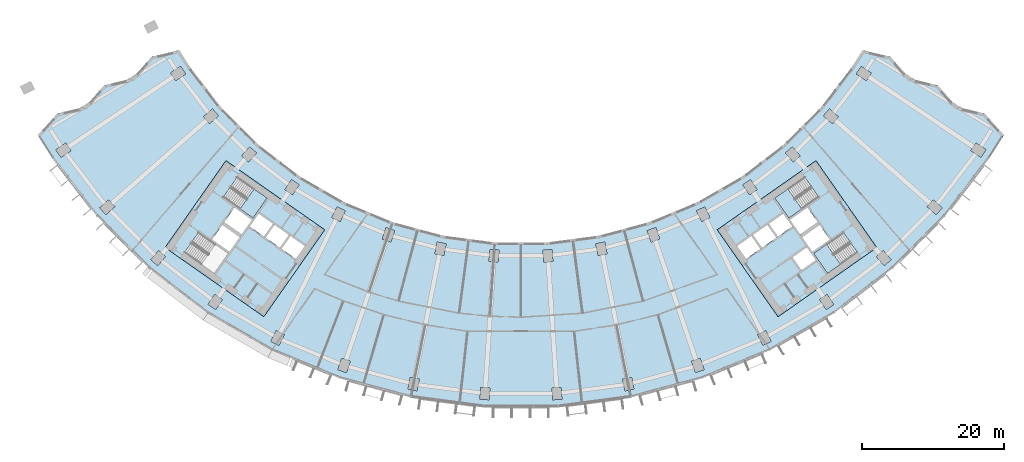
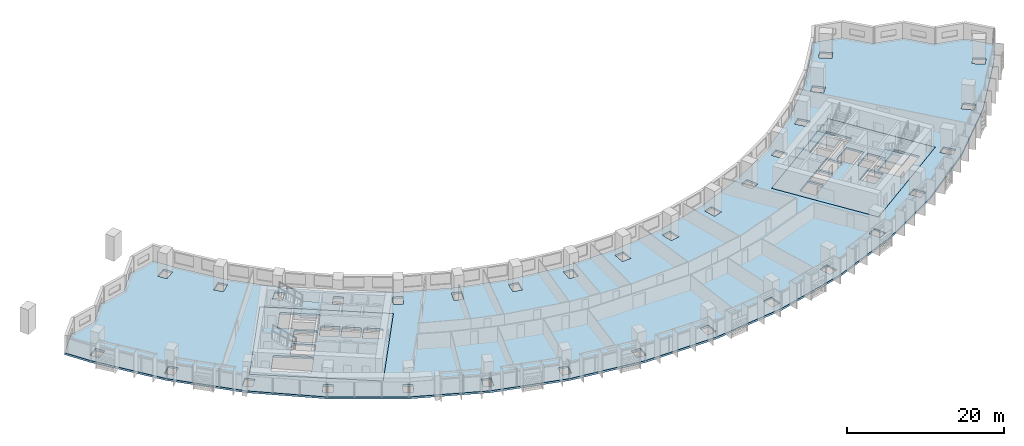
# One storey, part 2 of 31: 6 slabs, 3 elements without a shape of their own.
"""IFC4 building model written with IfcOpenShell, lengths in metres."""

from ifc_helpers import new_model, si_unit, direction, frame, origin, place, context, subcontext, project, spatial, polyline, outline, extrude, material, layer, layer_set, type_object, element, aggregate, save


model = new_model("IFC4")

# Units and contexts
model_context = context("Model", 3, precision=1e-05, world=origin(), true_north=direction((0.0, 1.0)))
body_context = subcontext(model_context, "Body", "Model", "MODEL_VIEW")
ifc_project = project(units=[si_unit("LENGTHUNIT", "METRE"), si_unit("AREAUNIT", "SQUARE_METRE"), si_unit("VOLUMEUNIT", "CUBIC_METRE"), si_unit("PLANEANGLEUNIT", "RADIAN"), si_unit("MASSUNIT", "GRAM", prefix="KILO")], contexts=[model_context])

# Site, building, storey
site_placement = place(None, origin())
site = spatial("IfcSite", under=ifc_project, at=site_placement, CompositionType="ELEMENT")
building_placement = place(site_placement, origin())
building = spatial("IfcBuilding", under=site, at=building_placement, Name="Qamariyya Broadcast Tower", CompositionType="ELEMENT")
storey_placement = place(building_placement, frame((0.0, 0.0, 86.10009765625)))
storey = spatial("IfcBuildingStorey", under=building, at=storey_placement, Name="L18", CompositionType="ELEMENT", Elevation=86.10009765625)

# Slabs
ifc_material_1 = material(Name="Concrete C40/50", Category="concrete")
ifc_layer_1 = layer(ifc_material_1, 0.300048828125)
ifc_layer_set_1 = layer_set([ifc_layer_1], Name="Core floor slab 300 mm Concrete C40/50")
slab_type_1 = type_object("IfcSlabType", Name="Core floor slab 300 mm Concrete C40/50", PredefinedType="FLOOR", material=ifc_layer_set_1)
slab_1_placement = place(storey_placement, frame((0.0, 0.0, -0.300048828125)))
element("IfcSlab", 1, at=slab_1_placement, inside=storey, type_object=slab_type_1, Name="k-W-L18-slab", PredefinedType="FLOOR", context=body_context, shape_type="SweptSolid", body=[
    extrude(outline(polyline([(-50.286376953125, -56.95751953125), (-36.32373046875, -66.734375), (-27.719970703125, -54.447021484375), (-41.6826171875, -44.67041015625), (-50.286376953125, -56.95751953125)]), holes=[polyline([(-31.80859375, -58.542724609375), (-33.8154296875, -57.137451171875), (-32.5537109375, -55.335205078125), (-30.546630859375, -56.740478515625), (-31.80859375, -58.542724609375)]), polyline([(-34.061279296875, -56.96533203125), (-36.068115234375, -55.56005859375), (-34.806396484375, -53.758056640625), (-32.79931640625, -55.163330078125), (-34.061279296875, -56.96533203125)]), polyline([(-36.31396484375, -55.387939453125), (-38.32080078125, -53.982666015625), (-37.058837890625, -52.1806640625), (-35.052001953125, -53.5859375), (-36.31396484375, -55.387939453125)]), polyline([(-39.742431640625, -55.489990234375), (-42.199951171875, -53.769287109375), (-43.6337890625, -55.817138671875), (-41.17626953125, -57.537841796875), (-39.742431640625, -55.489990234375)]), polyline([(-39.45556640625, -55.080322265625), (-41.9130859375, -53.359619140625), (-40.47900390625, -51.311767578125), (-38.021728515625, -53.032470703125), (-39.45556640625, -55.080322265625)]), polyline([(-42.06103515625, -49.837890625), (-37.849609375, -52.78662109375), (-35.870849609375, -49.960693359375), (-40.082275390625, -47.01171875), (-42.06103515625, -49.837890625)]), polyline([(-47.538818359375, -57.66064453125), (-43.3271484375, -60.609619140625), (-41.348388671875, -57.783447265625), (-45.559814453125, -54.834716796875), (-47.538818359375, -57.66064453125)])]), origin(), (0.0, 0.0, 1.0), 0.300048828125),
])
slab_2_placement = place(storey_placement, frame((0.0, 0.0, -0.300048828125)))
element("IfcSlab", 2, at=slab_2_placement, inside=storey, type_object=slab_type_1, Name="k-E-L18-slab", PredefinedType="FLOOR", context=body_context, shape_type="SweptSolid", body=[
    extrude(outline(polyline([(36.32373046875, -66.734375), (50.286376953125, -56.95751953125), (41.6826171875, -44.67041015625), (27.719970703125, -54.447021484375), (36.32373046875, -66.734375)]), holes=[polyline([(31.80859375, -58.542724609375), (33.8154296875, -57.137451171875), (32.5537109375, -55.335205078125), (30.546630859375, -56.740478515625), (31.80859375, -58.542724609375)]), polyline([(34.061279296875, -56.96533203125), (36.068115234375, -55.56005859375), (34.806396484375, -53.758056640625), (32.79931640625, -55.163330078125), (34.061279296875, -56.96533203125)]), polyline([(36.31396484375, -55.387939453125), (38.32080078125, -53.982666015625), (37.058837890625, -52.1806640625), (35.052001953125, -53.5859375), (36.31396484375, -55.387939453125)]), polyline([(38.378662109375, -58.3369140625), (40.3857421875, -56.931640625), (41.6474609375, -58.73388671875), (39.640625, -60.13916015625), (38.378662109375, -58.3369140625)]), polyline([(39.742431640625, -55.489990234375), (42.199951171875, -53.769287109375), (43.6337890625, -55.817138671875), (41.17626953125, -57.537841796875), (39.742431640625, -55.489990234375)]), polyline([(39.45556640625, -55.080322265625), (41.9130859375, -53.359619140625), (40.47900390625, -51.311767578125), (38.021728515625, -53.032470703125), (39.45556640625, -55.080322265625)]), polyline([(40.082275390625, -47.01171875), (35.870849609375, -49.960693359375), (37.849609375, -52.78662109375), (42.06103515625, -49.837890625), (40.082275390625, -47.01171875)]), polyline([(45.559814453125, -54.834716796875), (41.348388671875, -57.783447265625), (43.3271484375, -60.609619140625), (47.538818359375, -57.66064453125), (45.559814453125, -54.834716796875)])]), origin(), (0.0, 0.0, 1.0), 0.300048828125),
])
ifc_layer_2 = layer(ifc_material_1, 0.300048828125)
ifc_layer_set_2 = layer_set([ifc_layer_2], Name="Post-tensioned floor slab 300 C40/50")
slab_type_2 = type_object("IfcSlabType", Name="Post-tensioned floor slab 300 C40/50", PredefinedType="FLOOR", material=ifc_layer_set_2)
slab_3_placement = place(storey_placement, frame((0.0, 0.0, -0.300048828125)))
element("IfcSlab", 3, at=slab_3_placement, inside=storey, type_object=slab_type_2, Name="Floor slab S4 L18", PredefinedType="FLOOR", context=body_context, shape_type="SweptSolid", body=[
    extrude(outline(polyline([(-65.532470703125, -38.02734375), (-68.24951171875, -41.0625), (-66.2265625, -44.251220703125), (-59.884033203125, -52.516845703125), (-52.516845703125, -59.884033203125), (-44.251220703125, -66.2265625), (-35.228271484375, -71.43603515625), (-25.6025390625, -75.423095703125), (-15.5390625, -78.11962890625), (-5.20947265625, -79.4794921875), (5.20947265625, -79.4794921875), (15.5390625, -78.11962890625), (25.6025390625, -75.423095703125), (35.228271484375, -71.43603515625), (44.251220703125, -66.2265625), (52.516845703125, -59.884033203125), (59.884033203125, -52.516845703125), (66.2265625, -44.251220703125), (68.24951171875, -41.0625), (65.532470703125, -38.02734375), (61.594482421875, -37.05859375), (58.87646484375, -34.02294921875), (54.939453125, -33.054443359375), (52.220458984375, -30.01806640625), (48.284423828125, -29.050537109375), (46.853271484375, -31.306396484375), (42.3662109375, -37.154052734375), (37.154052734375, -42.3662109375), (31.306396484375, -46.853271484375), (24.9228515625, -50.538818359375), (18.113037109375, -53.359619140625), (10.993408203125, -55.267333984375), (3.685546875, -56.229248046875), (-3.685546875, -56.229248046875), (-10.993408203125, -55.267333984375), (-18.113037109375, -53.359619140625), (-24.9228515625, -50.538818359375), (-31.306396484375, -46.853271484375), (-37.154052734375, -42.3662109375), (-42.3662109375, -37.154052734375), (-46.853271484375, -31.306396484375), (-48.284423828125, -29.050537109375), (-52.220458984375, -30.01806640625), (-54.939453125, -33.054443359375), (-58.87646484375, -34.02294921875), (-61.594482421875, -37.05859375), (-65.532470703125, -38.02734375)]), holes=[polyline([(-5.789306640625, -78.38916015625), (-5.67822265625, -76.69287109375), (-4.380859375, -76.77783203125), (-4.4921875, -78.47412109375), (-5.789306640625, -78.38916015625)]), polyline([(-15.9716796875, -76.962890625), (-15.639892578125, -75.295654296875), (-14.364990234375, -75.54931640625), (-14.696533203125, -77.216552734375), (-15.9716796875, -76.962890625)]), polyline([(-25.880615234375, -74.2197265625), (-25.334228515625, -72.610107421875), (-24.103271484375, -73.02783203125), (-24.649658203125, -74.6376953125), (-25.880615234375, -74.2197265625)]), polyline([(-35.346923828125, -70.206787109375), (-34.594970703125, -68.68212890625), (-33.428955078125, -69.257080078125), (-34.180908203125, -70.78173828125), (-35.346923828125, -70.206787109375)]), polyline([(-44.208251953125, -64.992431640625), (-43.263916015625, -63.578857421875), (-42.182861328125, -64.301025390625), (-43.12744140625, -65.714599609375), (-44.208251953125, -64.992431640625)]), polyline([(-52.313232421875, -58.666015625), (-51.1923828125, -57.387939453125), (-50.215087890625, -58.2451171875), (-51.3359375, -59.523193359375), (-52.313232421875, -58.666015625)]), polyline([(-12.167236328125, -57.837646484375), (-11.835693359375, -56.170166015625), (-10.560791015625, -56.423828125), (-10.892333984375, -58.09130859375), (-12.167236328125, -57.837646484375)]), polyline([(-41.6826171875, -44.67041015625), (-27.719970703125, -54.447021484375), (-36.32373046875, -66.734375), (-50.286376953125, -56.95751953125), (-41.6826171875, -44.67041015625)]), polyline([(-19.066162109375, -54.144775390625), (-17.835205078125, -54.562744140625), (-18.381591796875, -56.172607421875), (-19.612548828125, -55.754638671875), (-19.066162109375, -54.144775390625)]), polyline([(-26.72216796875, -52.7177734375), (-25.970458984375, -51.193115234375), (-24.804443359375, -51.76806640625), (-25.556396484375, -53.292724609375), (-26.72216796875, -52.7177734375)]), polyline([(-59.523193359375, -51.3359375), (-58.2451171875, -50.215087890625), (-57.387939453125, -51.1923828125), (-58.666015625, -52.313232421875), (-59.523193359375, -51.3359375)]), polyline([(-33.374755859375, -48.77880859375), (-32.43017578125, -47.365234375), (-31.349365234375, -48.08740234375), (-32.293701171875, -49.5009765625), (-33.374755859375, -48.77880859375)]), polyline([(-39.4560546875, -44.005126953125), (-38.335205078125, -42.72705078125), (-37.357666015625, -43.584228515625), (-38.478759765625, -44.8623046875), (-39.4560546875, -44.005126953125)]), polyline([(-65.714599609375, -43.12744140625), (-64.301025390625, -42.182861328125), (-63.578857421875, -43.263916015625), (-64.992431640625, -44.208251953125), (-65.714599609375, -43.12744140625)]), polyline([(-44.8623046875, -38.478759765625), (-43.584228515625, -37.357666015625), (-42.72705078125, -38.335205078125), (-44.005126953125, -39.4560546875), (-44.8623046875, -38.478759765625)]), polyline([(-48.08740234375, -31.349365234375), (-47.365234375, -32.43017578125), (-48.77880859375, -33.374755859375), (-49.5009765625, -32.293701171875), (-48.08740234375, -31.349365234375)]), polyline([(4.4921875, -78.47412109375), (4.380859375, -76.77783203125), (5.67822265625, -76.69287109375), (5.789306640625, -78.38916015625), (4.4921875, -78.47412109375)]), polyline([(14.696533203125, -77.216552734375), (14.364990234375, -75.54931640625), (15.639892578125, -75.295654296875), (15.9716796875, -76.962890625), (14.696533203125, -77.216552734375)]), polyline([(24.649658203125, -74.6376953125), (24.103271484375, -73.02783203125), (25.334228515625, -72.610107421875), (25.880615234375, -74.2197265625), (24.649658203125, -74.6376953125)]), polyline([(34.180908203125, -70.78173828125), (33.428955078125, -69.257080078125), (34.594970703125, -68.68212890625), (35.346923828125, -70.206787109375), (34.180908203125, -70.78173828125)]), polyline([(43.12744140625, -65.714599609375), (42.182861328125, -64.301025390625), (43.263916015625, -63.578857421875), (44.208251953125, -64.992431640625), (43.12744140625, -65.714599609375)]), polyline([(51.3359375, -59.523193359375), (50.215087890625, -58.2451171875), (51.1923828125, -57.387939453125), (52.313232421875, -58.666015625), (51.3359375, -59.523193359375)]), polyline([(3.216796875, -59.015869140625), (3.10546875, -57.319580078125), (4.40283203125, -57.234619140625), (4.513916015625, -58.930908203125), (3.216796875, -59.015869140625)]), polyline([(-4.40283203125, -57.234619140625), (-3.10546875, -57.319580078125), (-3.216796875, -59.015869140625), (-4.513916015625, -58.930908203125), (-4.40283203125, -57.234619140625)]), polyline([(10.560791015625, -56.423828125), (11.835693359375, -56.170166015625), (12.167236328125, -57.837646484375), (10.892333984375, -58.09130859375), (10.560791015625, -56.423828125)]), polyline([(36.32373046875, -66.734375), (27.719970703125, -54.447021484375), (41.6826171875, -44.67041015625), (50.286376953125, -56.95751953125), (36.32373046875, -66.734375)]), polyline([(18.381591796875, -56.172607421875), (17.835205078125, -54.562744140625), (19.066162109375, -54.144775390625), (19.612548828125, -55.754638671875), (18.381591796875, -56.172607421875)]), polyline([(25.556396484375, -53.292724609375), (24.804443359375, -51.76806640625), (25.970458984375, -51.193115234375), (26.72216796875, -52.7177734375), (25.556396484375, -53.292724609375)]), polyline([(58.666015625, -52.313232421875), (57.387939453125, -51.1923828125), (58.2451171875, -50.215087890625), (59.523193359375, -51.3359375), (58.666015625, -52.313232421875)]), polyline([(32.293701171875, -49.5009765625), (31.349365234375, -48.08740234375), (32.43017578125, -47.365234375), (33.374755859375, -48.77880859375), (32.293701171875, -49.5009765625)]), polyline([(38.478759765625, -44.8623046875), (37.357666015625, -43.584228515625), (38.335205078125, -42.72705078125), (39.4560546875, -44.005126953125), (38.478759765625, -44.8623046875)]), polyline([(64.992431640625, -44.208251953125), (63.578857421875, -43.263916015625), (64.301025390625, -42.182861328125), (65.714599609375, -43.12744140625), (64.992431640625, -44.208251953125)]), polyline([(42.72705078125, -38.335205078125), (43.584228515625, -37.357666015625), (44.8623046875, -38.478759765625), (44.005126953125, -39.4560546875), (42.72705078125, -38.335205078125)]), polyline([(47.365234375, -32.43017578125), (48.08740234375, -31.349365234375), (49.5009765625, -32.293701171875), (48.77880859375, -33.374755859375), (47.365234375, -32.43017578125)])]), origin(), (0.0, 0.0, 1.0), 0.300048828125),
])

# Stair, slab
ifc_material_2 = material(Name="Concrete C50/60", Category="concrete")
stair_type = type_object("IfcStairType", Name="Exit stair 22 risers of 173 mm", PredefinedType="HALF_TURN_STAIR", material=ifc_material_2)
stair_1_placement = place(storey_placement, origin())
stair_1 = element("IfcStair", 4, at=stair_1_placement, inside=storey, type_object=stair_type, Name="L18 Stair W2", PredefinedType="HALF_TURN_STAIR")
ifc_layer_3 = layer(ifc_material_2, 0.199951171875)
ifc_layer_set_3 = layer_set([ifc_layer_3], Name="Stair landing")
slab_type_3 = type_object("IfcSlabType", Name="Stair landing", PredefinedType="LANDING", material=ifc_layer_set_3)
slab_4_placement = place(storey_placement, frame((0.0, 0.0, 1.699951171875)))
slab_4 = element("IfcSlab", 5, at=slab_4_placement, type_object=slab_type_3, Name="ST-W2 landing 1", PredefinedType="LANDING", context=body_context, shape_type="SweptSolid", body=[
    extrude(outline(polyline([(-39.692138671875, -51.49658203125), (-37.849609375, -52.78662109375), (-35.870849609375, -49.960693359375), (-37.71337890625, -48.67041015625), (-39.692138671875, -51.49658203125)])), origin(), (0.0, 0.0, 1.0), 0.199951171875),
])
aggregate(stair_1, [slab_4])

stair_2_placement = place(storey_placement, origin())
stair_2 = element("IfcStair", 6, at=stair_2_placement, inside=storey, type_object=stair_type, Name="L18 Stair E2", PredefinedType="HALF_TURN_STAIR")
slab_5_placement = place(storey_placement, frame((0.0, 0.0, 1.699951171875)))
slab_5 = element("IfcSlab", 7, at=slab_5_placement, type_object=slab_type_3, Name="ST-E2 landing 1", PredefinedType="LANDING", context=body_context, shape_type="SweptSolid", body=[
    extrude(outline(polyline([(37.71337890625, -48.67041015625), (35.870849609375, -49.960693359375), (37.849609375, -52.78662109375), (39.692138671875, -51.49658203125), (37.71337890625, -48.67041015625)])), origin(), (0.0, 0.0, 1.0), 0.199951171875),
])
aggregate(stair_2, [slab_5])

stair_3_placement = place(storey_placement, origin())
stair_3 = element("IfcStair", 8, at=stair_3_placement, inside=storey, type_object=stair_type, Name="L18 Stair E1", PredefinedType="HALF_TURN_STAIR")
slab_6_placement = place(storey_placement, frame((0.0, 0.0, 1.699951171875)))
slab_6 = element("IfcSlab", 9, at=slab_6_placement, type_object=slab_type_3, Name="ST-E1 landing 1", PredefinedType="LANDING", context=body_context, shape_type="SweptSolid", body=[
    extrude(outline(polyline([(43.19091796875, -56.493408203125), (41.348388671875, -57.783447265625), (43.3271484375, -60.609619140625), (45.169677734375, -59.319580078125), (43.19091796875, -56.493408203125)])), origin(), (0.0, 0.0, 1.0), 0.199951171875),
])
aggregate(stair_3, [slab_6])

save(model, "model.ifc")
